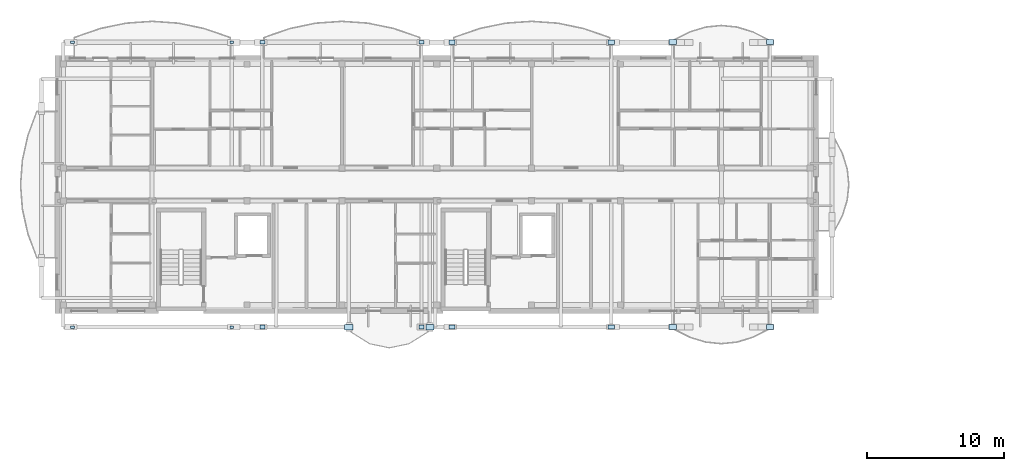
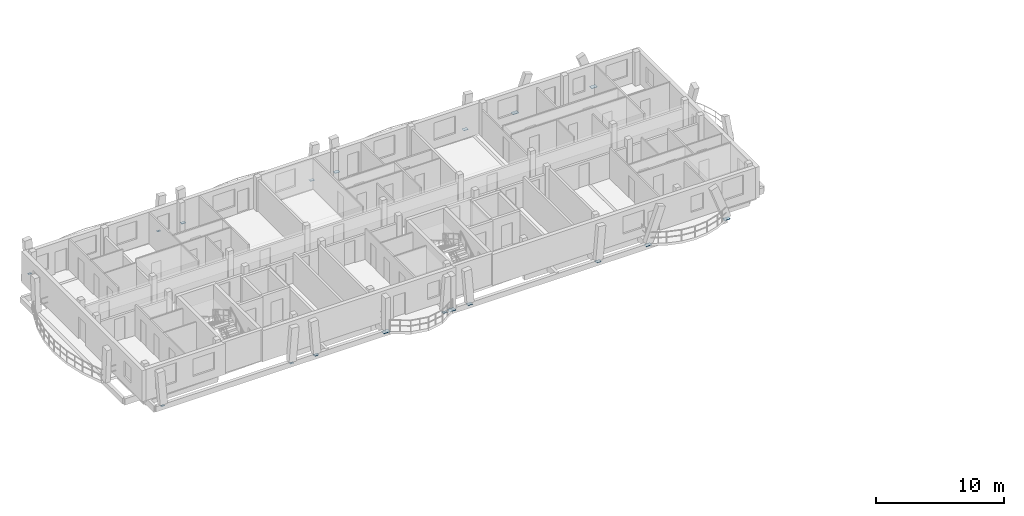
# One storey, part 11 of 48: 18 plates.
"""IFC4 building model written with IfcOpenShell, lengths in metres."""

from ifc_helpers import new_model, si_unit, direction, frame, origin, origin_2d, place, context, subcontext, project, spatial, rectangle, extrude, material, layer, layer_set, type_object, element, save


model = new_model("IFC4")

# Units and contexts
model_context = context("Model", 3, precision=1e-05, world=origin(), true_north=direction((0.0, 1.0)))
body_context = subcontext(model_context, "Body", "Model", "MODEL_VIEW")
ifc_project = project(units=[si_unit("LENGTHUNIT", "METRE"), si_unit("AREAUNIT", "SQUARE_METRE"), si_unit("VOLUMEUNIT", "CUBIC_METRE"), si_unit("PLANEANGLEUNIT", "RADIAN"), si_unit("MASSUNIT", "GRAM", prefix="KILO")], contexts=[model_context])

# Site, building, storey
site_placement = place(None, origin())
site = spatial("IfcSite", under=ifc_project, at=site_placement, CompositionType="ELEMENT")
building_placement = place(site_placement, origin())
building = spatial("IfcBuilding", under=site, at=building_placement, Name="Zavelmont Quarter", CompositionType="ELEMENT")
storey_placement = place(building_placement, frame((0.0, 0.0, 17.60009765625)))
storey = spatial("IfcBuildingStorey", under=building, at=storey_placement, Name="L05", CompositionType="ELEMENT", Elevation=17.60009765625)

# Plates
ifc_material = material(Name="Steel S355", Category="steel")
ifc_layer_1 = layer(ifc_material, 0.02001953125)
ifc_layer_set_1 = layer_set([ifc_layer_1], Name="Steel S355")
plate_type_1 = type_object("IfcPlateType", Name="NP01", PredefinedType="SHEET", material=ifc_layer_set_1)
for number, where, z_axis, x_axis, name in (
    (1, (1.109375, 117.162109375, -0.210205078125), (0.0, 0.0, 1.0), (1.0, 0.0, 0.0), "L05 steel connection plate NP01 at 1/S"),
    (2, (12.690673828125, 117.162109375, -0.210205078125), (0.0, 0.0, 1.0), (1.0, 0.0, 0.0), "L05 steel connection plate NP01 at 3/S"),
    (3, (1.109375, 96.43798828125, -0.210205078125), (0.0, 0.0, 1.0), (1.0, 0.0, 0.0), "L05 steel connection plate NP01 at 1/P"),
    (4, (12.690673828125, 96.43798828125, -0.210205078125), (0.0, 0.0, 1.0), (1.0, 0.0, 0.0), "L05 steel connection plate NP01 at 3/P"),
):
    element("IfcPlate", number, at=place(storey_placement, frame(where, z_axis=z_axis, x_axis=x_axis)), inside=storey, type_object=plate_type_1, Name=name, PredefinedType="SHEET", context=body_context, shape_type="SweptSolid", body=[
        extrude(rectangle(XDim=0.280029296875, YDim=0.179931640625, at=origin_2d()), origin(), (0.0, 0.0, 1.0), 0.02001953125),
    ])
ifc_layer_2 = layer(ifc_material, 0.02392578125)
ifc_layer_set_2 = layer_set([ifc_layer_2], Name="Steel S355")
plate_type_2 = type_object("IfcPlateType", Name="NP02", PredefinedType="SHEET", material=ifc_layer_set_2)
for number, where, z_axis, x_axis, name in (
    (5, (14.909423828125, 117.162109375, -0.212158203125), (0.0, 0.0, 1.0), (1.0, 0.0, 0.0), "L05 steel connection plate NP02 at 3/S"),
    (6, (26.490478515625, 117.162109375, -0.212158203125), (0.0, 0.0, 1.0), (1.0, 0.0, 0.0), "L05 steel connection plate NP02 at 5/S"),
    (7, (14.909423828125, 96.43798828125, -0.212158203125), (0.0, 0.0, 1.0), (1.0, 0.0, 0.0), "L05 steel connection plate NP02 at 3/P"),
    (8, (26.490478515625, 96.43798828125, -0.212158203125), (0.0, 0.0, 1.0), (1.0, 0.0, 0.0), "L05 steel connection plate NP02 at 5/P"),
):
    element("IfcPlate", number, at=place(storey_placement, frame(where, z_axis=z_axis, x_axis=x_axis)), inside=storey, type_object=plate_type_2, Name=name, PredefinedType="SHEET", context=body_context, shape_type="SweptSolid", body=[
        extrude(rectangle(XDim=0.360107421875, YDim=0.260009765625, at=origin_2d()), origin(), (0.0, 0.0, 1.0), 0.02392578125),
    ])
ifc_layer_3 = layer(ifc_material, 0.02490234375)
ifc_layer_set_3 = layer_set([ifc_layer_3], Name="Steel S355")
plate_type_3 = type_object("IfcPlateType", Name="NP03", PredefinedType="SHEET", material=ifc_layer_set_3)
for number, where, z_axis, x_axis, name in (
    (9, (28.70947265625, 117.162109375, -0.212646484375), (0.0, 0.0, 1.0), (1.0, 0.0, 0.0), "L05 steel connection plate NP03 at 5/S"),
    (10, (40.29052734375, 117.162109375, -0.212646484375), (0.0, 0.0, 1.0), (1.0, 0.0, 0.0), "L05 steel connection plate NP03 at 7/S"),
    (11, (28.70947265625, 96.43798828125, -0.212646484375), (0.0, 0.0, 1.0), (1.0, 0.0, 0.0), "L05 steel connection plate NP03 at 5/P"),
    (12, (40.29052734375, 96.43798828125, -0.212646484375), (0.0, 0.0, 1.0), (1.0, 0.0, 0.0), "L05 steel connection plate NP03 at 7/P"),
):
    element("IfcPlate", number, at=place(storey_placement, frame(where, z_axis=z_axis, x_axis=x_axis)), inside=storey, type_object=plate_type_3, Name=name, PredefinedType="SHEET", context=body_context, shape_type="SweptSolid", body=[
        extrude(rectangle(XDim=0.43994140625, YDim=0.320068359375, at=origin_2d()), origin(), (0.0, 0.0, 1.0), 0.02490234375),
    ])
ifc_layer_4 = layer(ifc_material, 0.028076171875)
ifc_layer_set_4 = layer_set([ifc_layer_4], Name="Steel S355")
plate_type_4 = type_object("IfcPlateType", Name="NP04", PredefinedType="SHEET", material=ifc_layer_set_4)
for number, where, z_axis, x_axis, name in (
    (13, (44.766357421875, 117.162109375, -0.21435546875), (0.0, 0.0, 1.0), (1.0, 0.0, 0.0), "L05 steel connection plate NP04 at 7/S"),
    (14, (51.833740234375, 117.162109375, -0.21435546875), (0.0, 0.0, 1.0), (1.0, 0.0, 0.0), "L05 steel connection plate NP04 at 9/S"),
    (15, (44.766357421875, 96.43798828125, -0.21435546875), (0.0, 0.0, 1.0), (1.0, 0.0, 0.0), "L05 steel connection plate NP04 at 7/P"),
    (16, (51.833740234375, 96.43798828125, -0.21435546875), (0.0, 0.0, 1.0), (1.0, 0.0, 0.0), "L05 steel connection plate NP04 at 9/P"),
):
    element("IfcPlate", number, at=place(storey_placement, frame(where, z_axis=z_axis, x_axis=x_axis)), inside=storey, type_object=plate_type_4, Name=name, PredefinedType="SHEET", context=body_context, shape_type="SweptSolid", body=[
        extrude(rectangle(XDim=0.52001953125, YDim=0.360107421875, at=origin_2d()), origin(), (0.0, 0.0, 1.0), 0.028076171875),
    ])
ifc_layer_5 = layer(ifc_material, 0.030029296875)
ifc_layer_set_5 = layer_set([ifc_layer_5], Name="Steel S355")
plate_type_5 = type_object("IfcPlateType", Name="NP05", PredefinedType="SHEET", material=ifc_layer_set_5)
for number, where, z_axis, x_axis, name in (
    (17, (21.199951171875, 96.43798828125, -0.21533203125), (0.0, 0.0, 1.0), (1.0, 0.0, 0.0), "L05 steel connection plate NP05 at 4/P"),
    (18, (27.10009765625, 96.43798828125, -0.21533203125), (0.0, 0.0, 1.0), (1.0, 0.0, 0.0), "L05 steel connection plate NP05 at 5/P"),
):
    element("IfcPlate", number, at=place(storey_placement, frame(where, z_axis=z_axis, x_axis=x_axis)), inside=storey, type_object=plate_type_5, Name=name, PredefinedType="SHEET", context=body_context, shape_type="SweptSolid", body=[
        extrude(rectangle(XDim=0.60009765625, YDim=0.39990234375, at=origin_2d()), origin(), (0.0, 0.0, 1.0), 0.030029296875),
    ])

save(model, "model.ifc")
